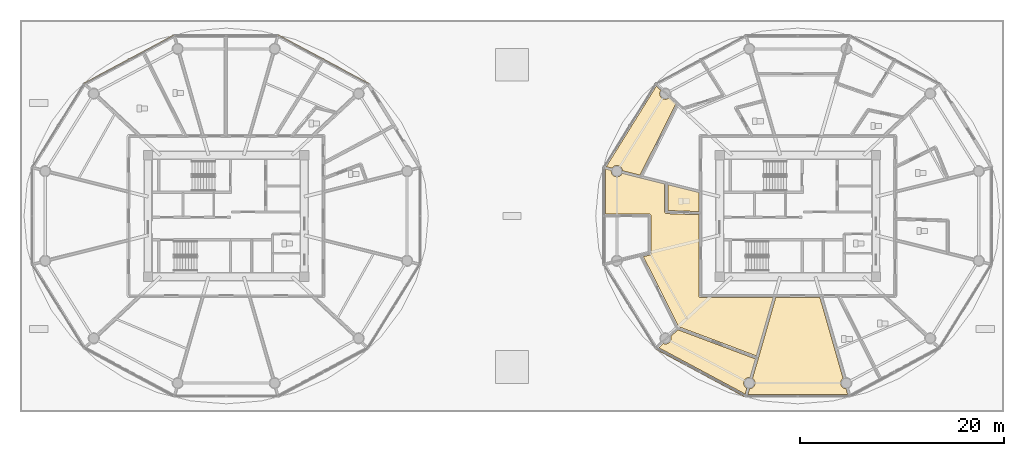
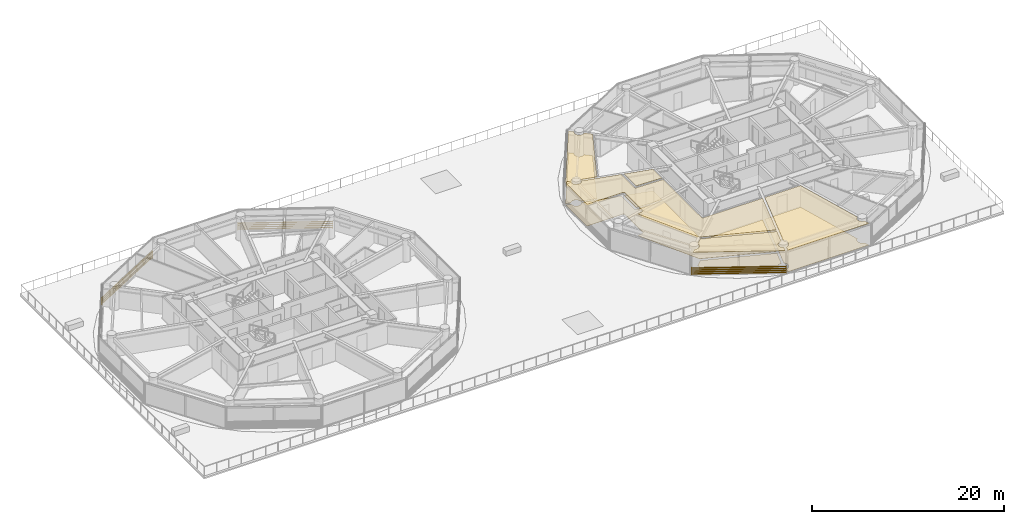
# One storey, part 27 of 32: 10 coverings, 3 shading devices.
"""IFC4 building model written with IfcOpenShell, lengths in metres."""

from ifc_helpers import new_model, si_unit, direction, frame, origin, origin_2d, place, context, subcontext, project, spatial, polyline, rectangle, outline, extrude, source, transform, mapped, material, layer, layer_set, type_object, type_shapes, element, save


model = new_model("IFC4")

# Units and contexts
model_context = context("Model", 3, precision=1e-05, world=origin(), true_north=direction((0.0, 1.0)))
body_context = subcontext(model_context, "Body", "Model", "MODEL_VIEW")
ifc_project = project(units=[si_unit("LENGTHUNIT", "METRE"), si_unit("AREAUNIT", "SQUARE_METRE"), si_unit("VOLUMEUNIT", "CUBIC_METRE"), si_unit("PLANEANGLEUNIT", "RADIAN"), si_unit("MASSUNIT", "GRAM", prefix="KILO")], contexts=[model_context])

# Site, building, storey
site_placement = place(None, origin())
site = spatial("IfcSite", under=ifc_project, at=site_placement, CompositionType="ELEMENT")
building_placement = place(site_placement, origin())
building = spatial("IfcBuilding", under=site, at=building_placement, Name="Norrkilde Senior Care Towers", CompositionType="ELEMENT")
storey_placement = place(building_placement, frame((0.0, 0.0, 21.60009765625)))
storey = spatial("IfcBuildingStorey", under=building, at=storey_placement, Name="L05", CompositionType="ELEMENT", Elevation=21.60009765625)

# Coverings
ifc_material_1 = material(Name="Nordic Ash Timber", Category="wood")
ifc_layer_1 = layer(ifc_material_1, 0.044921875)
ifc_layer_set_1 = layer_set([ifc_layer_1], Name="Nordic Ash Timber")
covering_type_1 = type_object("IfcCoveringType", Name="Acoustic Ash Timber Slatted Ceiling 45", PredefinedType="CEILING", material=ifc_layer_set_1)
covering_1_placement = place(storey_placement, frame((0.0, 0.0, 2.744873046875)))
element("IfcCovering", 1, at=covering_1_placement, inside=storey, type_object=covering_type_1, Name="L05 Suspended Ceiling 0147", PredefinedType="CEILING", context=body_context, shape_type="SweptSolid", body=[
    extrude(outline(polyline([(10.824951171875, 4.427978515625), (10.811279296875, 4.530517578125), (10.755859375, 4.66455078125), (10.667724609375, 4.779541015625), (10.552734375, 4.86767578125), (10.4189453125, 4.923095703125), (10.275146484375, 4.94189453125), (10.131591796875, 4.923095703125), (9.997802734375, 4.86767578125), (9.8828125, 4.779541015625), (9.80859375, 4.6826171875), (9.236083984375, 4.826171875), (14.14013671875, 12.715087890625), (14.583740234375, 12.31494140625), (14.5439453125, 12.262939453125), (14.488525390625, 12.129150390625), (14.469482421875, 11.9853515625), (14.488525390625, 11.841796875), (14.5439453125, 11.7080078125), (14.632080078125, 11.593017578125), (14.7470703125, 11.5048828125), (14.880859375, 11.449462890625), (15.024658203125, 11.430419921875), (15.168212890625, 11.449462890625), (15.302001953125, 11.5048828125), (15.399169921875, 11.579345703125), (16.056640625, 10.986083984375), (12.534912109375, 3.99951171875), (10.824951171875, 4.427978515625)])), origin(), (0.0, 0.0, 1.0), 0.044921875),
])
covering_2_placement = place(storey_placement, frame((0.0, 0.0, 2.744873046875)))
element("IfcCovering", 2, at=covering_2_placement, inside=storey, type_object=covering_type_1, Name="L05 Suspended Ceiling 0148", PredefinedType="CEILING", context=body_context, shape_type="SweptSolid", body=[
    extrude(outline(polyline([(14.960693359375, 0.388671875), (14.962890625, 0.37744140625), (14.964599609375, 0.370849609375), (14.9677734375, 0.35986328125), (14.969970703125, 0.353515625), (14.974365234375, 0.3427734375), (14.97705078125, 0.336669921875), (14.982421875, 0.326416015625), (14.98583984375, 0.320556640625), (14.9921875, 0.310791015625), (14.99609375, 0.305419921875), (15.003173828125, 0.29638671875), (15.007568359375, 0.291259765625), (15.015625, 0.282958984375), (15.0205078125, 0.2783203125), (15.029296875, 0.27099609375), (15.03466796875, 0.266845703125), (15.044189453125, 0.26025390625), (15.0498046875, 0.256591796875), (15.059814453125, 0.2509765625), (15.06591796875, 0.247802734375), (15.076416015625, 0.2431640625), (15.082763671875, 0.24072265625), (15.09375, 0.237060546875), (15.100341796875, 0.2353515625), (15.111572265625, 0.232666015625), (15.1181640625, 0.2314453125), (15.129638671875, 0.22998046875), (15.13623046875, 0.2294921875), (15.14208984375, 0.229248046875), (18.300048828125, 0.126220703125), (18.300048828125, -7.800048828125), (18.300048828125, -7.805908203125), (18.300537109375, -7.813720703125), (18.3017578125, -7.825439453125), (18.302734375, -7.833251953125), (18.30517578125, -7.8447265625), (18.30712890625, -7.852294921875), (18.310546875, -7.86376953125), (18.31298828125, -7.87109375), (18.317626953125, -7.8818359375), (18.321044921875, -7.888916015625), (18.326416015625, -7.8994140625), (18.33056640625, -7.90625), (18.337158203125, -7.916015625), (18.341796875, -7.92236328125), (18.34912109375, -7.931396484375), (18.3544921875, -7.937255859375), (18.36279296875, -7.945556640625), (18.36865234375, -7.95068359375), (18.377685546875, -7.958251953125), (18.384033203125, -7.962890625), (18.393798828125, -7.969482421875), (18.400634765625, -7.973388671875), (18.410888671875, -7.97900390625), (18.41796875, -7.982421875), (18.428955078125, -7.98681640625), (18.436279296875, -7.989501953125), (18.447509765625, -7.992919921875), (18.455322265625, -7.994873046875), (18.466796875, -7.9970703125), (18.474609375, -7.998291015625), (18.486328125, -7.99951171875), (18.494140625, -7.999755859375), (18.5, -8.0), (25.583251953125, -8.0), (23.9482421875, -13.70703125), (16.334228515625, -10.847900390625), (12.87109375, -3.977783203125), (13.491943359375, -3.825927734375), (13.497314453125, -3.824462890625), (13.503662109375, -3.822509765625), (13.5146484375, -3.818603515625), (13.520751953125, -3.816162109375), (13.531005859375, -3.8115234375), (13.537109375, -3.808349609375), (13.546875, -3.802734375), (13.552490234375, -3.799072265625), (13.561767578125, -3.79248046875), (13.567138671875, -3.788330078125), (13.57568359375, -3.78076171875), (13.580322265625, -3.776123046875), (13.58837890625, -3.767822265625), (13.5927734375, -3.762939453125), (13.599609375, -3.75390625), (13.603515625, -3.74853515625), (13.609619140625, -3.73876953125), (13.613037109375, -3.733154296875), (13.6181640625, -3.722900390625), (13.62109375, -3.716796875), (13.625244140625, -3.706298828125), (13.62744140625, -3.699951171875), (13.630615234375, -3.68896484375), (13.632080078125, -3.682373046875), (13.63427734375, -3.671142578125), (13.63525390625, -3.66455078125), (13.63623046875, -3.6533203125), (13.636474609375, -3.646728515625), (13.63671875, -3.640869140625), (13.6298828125, 0.000244140625), (13.629638671875, 0.00634765625), (13.62939453125, 0.01318359375), (13.628173828125, 0.02490234375), (13.627197265625, 0.031494140625), (13.624755859375, 0.043212890625), (13.623291015625, 0.0498046875), (13.619873046875, 0.06103515625), (13.617431640625, 0.0673828125), (13.613037109375, 0.078369140625), (13.60986328125, 0.08447265625), (13.6044921875, 0.094970703125), (13.600830078125, 0.100830078125), (13.59423828125, 0.110595703125), (13.59033203125, 0.115966796875), (13.582763671875, 0.125244140625), (13.578125, 0.130126953125), (13.56982421875, 0.138427734375), (13.564697265625, 0.14306640625), (13.5556640625, 0.150634765625), (13.550048828125, 0.15478515625), (13.540283203125, 0.1611328125), (13.534423828125, 0.164794921875), (13.524169921875, 0.170166015625), (13.517822265625, 0.173095703125), (13.507080078125, 0.177734375), (13.50048828125, 0.179931640625), (13.4892578125, 0.183349609375), (13.482666015625, 0.18505859375), (13.47119140625, 0.187255859375), (13.46435546875, 0.1884765625), (13.45263671875, 0.189453125), (13.44580078125, 0.18994140625), (13.43994140625, 0.18994140625), (9.149169921875, 0.18994140625), (9.149169921875, 4.6005859375), (9.729248046875, 4.455322265625), (9.72021484375, 4.386962890625), (9.7392578125, 4.243408203125), (9.794677734375, 4.109375), (9.8828125, 3.99462890625), (9.997802734375, 3.90625), (10.131591796875, 3.850830078125), (10.275146484375, 3.83203125), (10.4189453125, 3.850830078125), (10.552734375, 3.90625), (10.667724609375, 3.99462890625), (10.755859375, 4.109375), (10.7890625, 4.189697265625), (14.962646484375, 3.1435546875), (14.958251953125, 0.41943359375), (14.958251953125, 0.41357421875), (14.958740234375, 0.406982421875), (14.959716796875, 0.395263671875), (14.960693359375, 0.388671875)])), origin(), (0.0, 0.0, 1.0), 0.044921875),
])
covering_3_placement = place(storey_placement, frame((0.0, 0.0, 2.744873046875)))
element("IfcCovering", 3, at=covering_3_placement, inside=storey, type_object=covering_type_1, Name="L05 Suspended Ceiling 0152", PredefinedType="CEILING", context=body_context, shape_type="SweptSolid", body=[
    extrude(outline(polyline([(14.880859375, -12.521484375), (15.024658203125, -12.54052734375), (15.168212890625, -12.521484375), (15.302001953125, -12.466064453125), (15.4169921875, -12.3779296875), (15.505126953125, -12.262939453125), (15.560791015625, -12.129150390625), (15.57958984375, -11.9853515625), (15.560791015625, -11.841796875), (15.5478515625, -11.810791015625), (16.255126953125, -11.1494140625), (23.856201171875, -14.00341796875), (23.320068359375, -15.82666015625), (23.250732421875, -15.8173828125), (23.10693359375, -15.83642578125), (22.97314453125, -15.891845703125), (22.858154296875, -15.97998046875), (22.77001953125, -16.094970703125), (22.714599609375, -16.228759765625), (22.695556640625, -16.37255859375), (22.714599609375, -16.51611328125), (22.77001953125, -16.64990234375), (22.858154296875, -16.764892578125), (22.97314453125, -16.85302734375), (23.013427734375, -16.86962890625), (22.8447265625, -17.443603515625), (14.37890625, -12.904296875), (14.816650390625, -12.494873046875), (14.880859375, -12.521484375)])), origin(), (0.0, 0.0, 1.0), 0.044921875),
])
covering_4_placement = place(storey_placement, frame((0.0, 0.0, 2.744873046875)))
element("IfcCovering", 4, at=covering_4_placement, inside=storey, type_object=covering_type_1, Name="L05 Suspended Ceiling 0153", PredefinedType="CEILING", context=body_context, shape_type="SweptSolid", body=[
    extrude(outline(polyline([(23.11181640625, -17.49853515625), (23.2763671875, -16.924072265625), (23.394287109375, -16.908447265625), (23.528076171875, -16.85302734375), (23.64306640625, -16.764892578125), (23.731201171875, -16.64990234375), (23.786865234375, -16.51611328125), (23.8056640625, -16.37255859375), (23.786865234375, -16.228759765625), (23.731201171875, -16.094970703125), (23.64306640625, -15.97998046875), (23.564208984375, -15.91943359375), (25.8330078125, -8.0), (30.1669921875, -8.0), (32.435791015625, -15.91943359375), (32.35693359375, -15.97998046875), (32.268798828125, -16.094970703125), (32.213134765625, -16.228759765625), (32.1943359375, -16.37255859375), (32.213134765625, -16.51611328125), (32.268798828125, -16.64990234375), (32.35693359375, -16.764892578125), (32.471923828125, -16.85302734375), (32.605712890625, -16.908447265625), (32.7236328125, -16.924072265625), (32.88818359375, -17.49853515625), (23.11181640625, -17.49853515625)])), origin(), (0.0, 0.0, 1.0), 0.044921875),
])
ifc_material_2 = material(Name="Gypsum Acoustic Board")
ifc_layer_2 = layer(ifc_material_2, 0.030029296875)
ifc_layer_set_2 = layer_set([ifc_layer_2], Name="Gypsum Acoustic Board")
covering_type_2 = type_object("IfcCoveringType", Name="Medical Cleanable Gypsum Ceiling 30", PredefinedType="CEILING", material=ifc_layer_set_2)
covering_5_placement = place(storey_placement, frame((0.0, 0.0, 2.760009765625)))
element("IfcCovering", 5, at=covering_5_placement, inside=storey, type_object=covering_type_2, Name="L05 Suspended Ceiling 0149", PredefinedType="CEILING", context=body_context, shape_type="SweptSolid", body=[
    extrude(outline(polyline([(15.2724609375, 3.060791015625), (18.300048828125, 2.30322265625), (18.300048828125, 0.436279296875), (15.268310546875, 0.53515625), (15.2724609375, 3.060791015625)])), origin(), (0.0, 0.0, 1.0), 0.02978515625),
])
ifc_material_3 = material(Name="Slip-Resistant Porcelain Stone", Category="masonry")
ifc_layer_3 = layer(ifc_material_3, 0.02490234375)
ifc_layer_set_3 = layer_set([ifc_layer_3], Name="Slip-Resistant Porcelain Stone")
covering_type_3 = type_object("IfcCoveringType", Name="Slip-Resistant Porcelain Flooring 25", PredefinedType="FLOORING", material=ifc_layer_set_3)
covering_6_placement = place(storey_placement, origin())
element("IfcCovering", 6, at=covering_6_placement, inside=storey, type_object=covering_type_3, Name="L05 Floor Finish 0147", PredefinedType="FLOORING", context=body_context, shape_type="SweptSolid", body=[
    extrude(outline(polyline([(10.824951171875, 4.427978515625), (10.811279296875, 4.530517578125), (10.755859375, 4.66455078125), (10.667724609375, 4.779541015625), (10.552734375, 4.86767578125), (10.4189453125, 4.923095703125), (10.275146484375, 4.94189453125), (10.131591796875, 4.923095703125), (9.997802734375, 4.86767578125), (9.8828125, 4.779541015625), (9.80859375, 4.6826171875), (9.236083984375, 4.826171875), (14.14013671875, 12.715087890625), (14.583740234375, 12.31494140625), (14.5439453125, 12.262939453125), (14.488525390625, 12.129150390625), (14.469482421875, 11.9853515625), (14.488525390625, 11.841796875), (14.5439453125, 11.7080078125), (14.632080078125, 11.593017578125), (14.7470703125, 11.5048828125), (14.880859375, 11.449462890625), (15.024658203125, 11.430419921875), (15.168212890625, 11.449462890625), (15.302001953125, 11.5048828125), (15.399169921875, 11.579345703125), (16.056640625, 10.986083984375), (12.534912109375, 3.99951171875), (10.824951171875, 4.427978515625)])), origin(), (0.0, 0.0, 1.0), 0.02490234375),
])
covering_7_placement = place(storey_placement, origin())
element("IfcCovering", 7, at=covering_7_placement, inside=storey, type_object=covering_type_3, Name="L05 Floor Finish 0148", PredefinedType="FLOORING", context=body_context, shape_type="SweptSolid", body=[
    extrude(outline(polyline([(14.960693359375, 0.388671875), (14.962890625, 0.37744140625), (14.964599609375, 0.370849609375), (14.9677734375, 0.35986328125), (14.969970703125, 0.353515625), (14.974365234375, 0.3427734375), (14.97705078125, 0.336669921875), (14.982421875, 0.326416015625), (14.98583984375, 0.320556640625), (14.9921875, 0.310791015625), (14.99609375, 0.305419921875), (15.003173828125, 0.29638671875), (15.007568359375, 0.291259765625), (15.015625, 0.282958984375), (15.0205078125, 0.2783203125), (15.029296875, 0.27099609375), (15.03466796875, 0.266845703125), (15.044189453125, 0.26025390625), (15.0498046875, 0.256591796875), (15.059814453125, 0.2509765625), (15.06591796875, 0.247802734375), (15.076416015625, 0.2431640625), (15.082763671875, 0.24072265625), (15.09375, 0.237060546875), (15.100341796875, 0.2353515625), (15.111572265625, 0.232666015625), (15.1181640625, 0.2314453125), (15.129638671875, 0.22998046875), (15.13623046875, 0.2294921875), (15.14208984375, 0.229248046875), (18.300048828125, 0.126220703125), (18.300048828125, -7.800048828125), (18.300048828125, -7.805908203125), (18.300537109375, -7.813720703125), (18.3017578125, -7.825439453125), (18.302734375, -7.833251953125), (18.30517578125, -7.8447265625), (18.30712890625, -7.852294921875), (18.310546875, -7.86376953125), (18.31298828125, -7.87109375), (18.317626953125, -7.8818359375), (18.321044921875, -7.888916015625), (18.326416015625, -7.8994140625), (18.33056640625, -7.90625), (18.337158203125, -7.916015625), (18.341796875, -7.92236328125), (18.34912109375, -7.931396484375), (18.3544921875, -7.937255859375), (18.36279296875, -7.945556640625), (18.36865234375, -7.95068359375), (18.377685546875, -7.958251953125), (18.384033203125, -7.962890625), (18.393798828125, -7.969482421875), (18.400634765625, -7.973388671875), (18.410888671875, -7.97900390625), (18.41796875, -7.982421875), (18.428955078125, -7.98681640625), (18.436279296875, -7.989501953125), (18.447509765625, -7.992919921875), (18.455322265625, -7.994873046875), (18.466796875, -7.9970703125), (18.474609375, -7.998291015625), (18.486328125, -7.99951171875), (18.494140625, -7.999755859375), (18.5, -8.0), (25.583251953125, -8.0), (23.9482421875, -13.70703125), (16.334228515625, -10.847900390625), (12.87109375, -3.977783203125), (13.491943359375, -3.825927734375), (13.497314453125, -3.824462890625), (13.503662109375, -3.822509765625), (13.5146484375, -3.818603515625), (13.520751953125, -3.816162109375), (13.531005859375, -3.8115234375), (13.537109375, -3.808349609375), (13.546875, -3.802734375), (13.552490234375, -3.799072265625), (13.561767578125, -3.79248046875), (13.567138671875, -3.788330078125), (13.57568359375, -3.78076171875), (13.580322265625, -3.776123046875), (13.58837890625, -3.767822265625), (13.5927734375, -3.762939453125), (13.599609375, -3.75390625), (13.603515625, -3.74853515625), (13.609619140625, -3.73876953125), (13.613037109375, -3.733154296875), (13.6181640625, -3.722900390625), (13.62109375, -3.716796875), (13.625244140625, -3.706298828125), (13.62744140625, -3.699951171875), (13.630615234375, -3.68896484375), (13.632080078125, -3.682373046875), (13.63427734375, -3.671142578125), (13.63525390625, -3.66455078125), (13.63623046875, -3.6533203125), (13.636474609375, -3.646728515625), (13.63671875, -3.640869140625), (13.6298828125, 0.000244140625), (13.629638671875, 0.00634765625), (13.62939453125, 0.01318359375), (13.628173828125, 0.02490234375), (13.627197265625, 0.031494140625), (13.624755859375, 0.043212890625), (13.623291015625, 0.0498046875), (13.619873046875, 0.06103515625), (13.617431640625, 0.0673828125), (13.613037109375, 0.078369140625), (13.60986328125, 0.08447265625), (13.6044921875, 0.094970703125), (13.600830078125, 0.100830078125), (13.59423828125, 0.110595703125), (13.59033203125, 0.115966796875), (13.582763671875, 0.125244140625), (13.578125, 0.130126953125), (13.56982421875, 0.138427734375), (13.564697265625, 0.14306640625), (13.5556640625, 0.150634765625), (13.550048828125, 0.15478515625), (13.540283203125, 0.1611328125), (13.534423828125, 0.164794921875), (13.524169921875, 0.170166015625), (13.517822265625, 0.173095703125), (13.507080078125, 0.177734375), (13.50048828125, 0.179931640625), (13.4892578125, 0.183349609375), (13.482666015625, 0.18505859375), (13.47119140625, 0.187255859375), (13.46435546875, 0.1884765625), (13.45263671875, 0.189453125), (13.44580078125, 0.18994140625), (13.43994140625, 0.18994140625), (9.149169921875, 0.18994140625), (9.149169921875, 4.6005859375), (9.729248046875, 4.455322265625), (9.72021484375, 4.386962890625), (9.7392578125, 4.243408203125), (9.794677734375, 4.109375), (9.8828125, 3.99462890625), (9.997802734375, 3.90625), (10.131591796875, 3.850830078125), (10.275146484375, 3.83203125), (10.4189453125, 3.850830078125), (10.552734375, 3.90625), (10.667724609375, 3.99462890625), (10.755859375, 4.109375), (10.7890625, 4.189697265625), (14.962646484375, 3.1435546875), (14.958251953125, 0.41943359375), (14.958251953125, 0.41357421875), (14.958740234375, 0.406982421875), (14.959716796875, 0.395263671875), (14.960693359375, 0.388671875)])), origin(), (0.0, 0.0, 1.0), 0.02490234375),
])
covering_8_placement = place(storey_placement, origin())
element("IfcCovering", 8, at=covering_8_placement, inside=storey, type_object=covering_type_3, Name="L05 Floor Finish 0149", PredefinedType="FLOORING", context=body_context, shape_type="SweptSolid", body=[
    extrude(outline(polyline([(15.2724609375, 3.060791015625), (18.300048828125, 2.30322265625), (18.300048828125, 0.436279296875), (15.268310546875, 0.53515625), (15.2724609375, 3.060791015625)])), origin(), (0.0, 0.0, 1.0), 0.02490234375),
])
covering_9_placement = place(storey_placement, origin())
element("IfcCovering", 9, at=covering_9_placement, inside=storey, type_object=covering_type_3, Name="L05 Floor Finish 0152", PredefinedType="FLOORING", context=body_context, shape_type="SweptSolid", body=[
    extrude(outline(polyline([(14.880859375, -12.521484375), (15.024658203125, -12.54052734375), (15.168212890625, -12.521484375), (15.302001953125, -12.466064453125), (15.4169921875, -12.3779296875), (15.505126953125, -12.262939453125), (15.560791015625, -12.129150390625), (15.57958984375, -11.9853515625), (15.560791015625, -11.841796875), (15.5478515625, -11.810791015625), (16.255126953125, -11.1494140625), (23.856201171875, -14.00341796875), (23.320068359375, -15.82666015625), (23.250732421875, -15.8173828125), (23.10693359375, -15.83642578125), (22.97314453125, -15.891845703125), (22.858154296875, -15.97998046875), (22.77001953125, -16.094970703125), (22.714599609375, -16.228759765625), (22.695556640625, -16.37255859375), (22.714599609375, -16.51611328125), (22.77001953125, -16.64990234375), (22.858154296875, -16.764892578125), (22.97314453125, -16.85302734375), (23.013427734375, -16.86962890625), (22.8447265625, -17.443603515625), (14.37890625, -12.904296875), (14.816650390625, -12.494873046875), (14.880859375, -12.521484375)])), origin(), (0.0, 0.0, 1.0), 0.02490234375),
])
covering_10_placement = place(storey_placement, origin())
element("IfcCovering", 10, at=covering_10_placement, inside=storey, type_object=covering_type_3, Name="L05 Floor Finish 0153", PredefinedType="FLOORING", context=body_context, shape_type="SweptSolid", body=[
    extrude(outline(polyline([(23.11181640625, -17.49853515625), (23.2763671875, -16.924072265625), (23.394287109375, -16.908447265625), (23.528076171875, -16.85302734375), (23.64306640625, -16.764892578125), (23.731201171875, -16.64990234375), (23.786865234375, -16.51611328125), (23.8056640625, -16.37255859375), (23.786865234375, -16.228759765625), (23.731201171875, -16.094970703125), (23.64306640625, -15.97998046875), (23.564208984375, -15.91943359375), (25.8330078125, -8.0), (30.1669921875, -8.0), (32.435791015625, -15.91943359375), (32.35693359375, -15.97998046875), (32.268798828125, -16.094970703125), (32.213134765625, -16.228759765625), (32.1943359375, -16.37255859375), (32.213134765625, -16.51611328125), (32.268798828125, -16.64990234375), (32.35693359375, -16.764892578125), (32.471923828125, -16.85302734375), (32.605712890625, -16.908447265625), (32.7236328125, -16.924072265625), (32.88818359375, -17.49853515625), (23.11181640625, -17.49853515625)])), origin(), (0.0, 0.0, 1.0), 0.02490234375),
])

# Shading devices
ifc_material_4 = material(Name="Architectural Terracotta", Category="masonry")
shading_device_type = type_object("IfcShadingDeviceType", Name="Horizontal Terracotta Baguette Rack", PredefinedType="USERDEFINED", material=ifc_material_4)
shared_shape = source(origin(), body_context, "Body", "SweptSolid", [
    extrude(rectangle(XDim=0.070068359375, YDim=0.110107421875, at=origin_2d()), frame((0.0, 0.090087890625, 0.125), z_axis=(1.0, 0.0, 0.0), x_axis=(0.0, 1.0, 0.0)), (0.0, 0.0, 1.0), 10.0107421875),
    extrude(rectangle(XDim=0.070068359375, YDim=0.110107421875, at=origin_2d()), frame((0.0, 0.090087890625, 0.375), z_axis=(1.0, 0.0, 0.0), x_axis=(0.0, 1.0, 0.0)), (0.0, 0.0, 1.0), 10.0107421875),
    extrude(rectangle(XDim=0.070068359375, YDim=0.110107421875, at=origin_2d()), frame((0.0, 0.090087890625, 0.625), z_axis=(1.0, 0.0, 0.0), x_axis=(0.0, 1.0, 0.0)), (0.0, 0.0, 1.0), 10.0107421875),
    extrude(rectangle(XDim=0.070068359375, YDim=0.110107421875, at=origin_2d()), frame((0.0, 0.090087890625, 0.875), z_axis=(1.0, 0.0, 0.0), x_axis=(0.0, 1.0, 0.0)), (0.0, 0.0, 1.0), 10.0107421875),
    extrude(rectangle(XDim=0.050048828125, YDim=0.1552734375, at=origin_2d()), frame((0.02490234375, 0.047607421875, 0.0)), (0.0, 0.0, 1.0), 1.0),
    extrude(rectangle(XDim=0.050048828125, YDim=0.1552734375, at=origin_2d()), frame((9.98583984375, 0.047607421875, 0.0)), (0.0, 0.0, 1.0), 1.0),
])
type_shapes(shading_device_type, [shared_shape])
for number, where, z_axis, x_axis, name in (
    (11, (-22.906494140625, 17.6572265625, 0.079833984375), (0.0, 0.0, 1.0), (0.881279875134, -0.472612428056, 0.0), "L05 Drum W Terracotta Baguette Screen 01"),
    (12, (-41.915771484375, 12.926025390625, 0.079833984375), (0.0, 0.0, 1.0), (0.881279875134, 0.472612428056, 0.0), "L05 Drum W Terracotta Baguette Screen 03"),
    (13, (22.906494140625, -17.6572265625, 0.079833984375), (0.0, 0.0, 1.0), (-0.881279875134, 0.472612428056, 0.0), "L05 Drum E Terracotta Baguette Screen 07"),
):
    element("IfcShadingDevice", number, at=place(storey_placement, frame(where, z_axis=z_axis, x_axis=x_axis)), inside=storey, type_object=shading_device_type, Name=name, ObjectType="BAGUETTE", PredefinedType="USERDEFINED", context=body_context, shape_type="MappedRepresentation", body=[
        mapped(shared_shape, transform((0.0, 0.0, 0.0), x_axis=(1.0, 0.0, 0.0), y_axis=(0.0, 1.0, 0.0), z_axis=(0.0, 0.0, 1.0), scale=1.0)),
    ])

save(model, "model.ifc")
